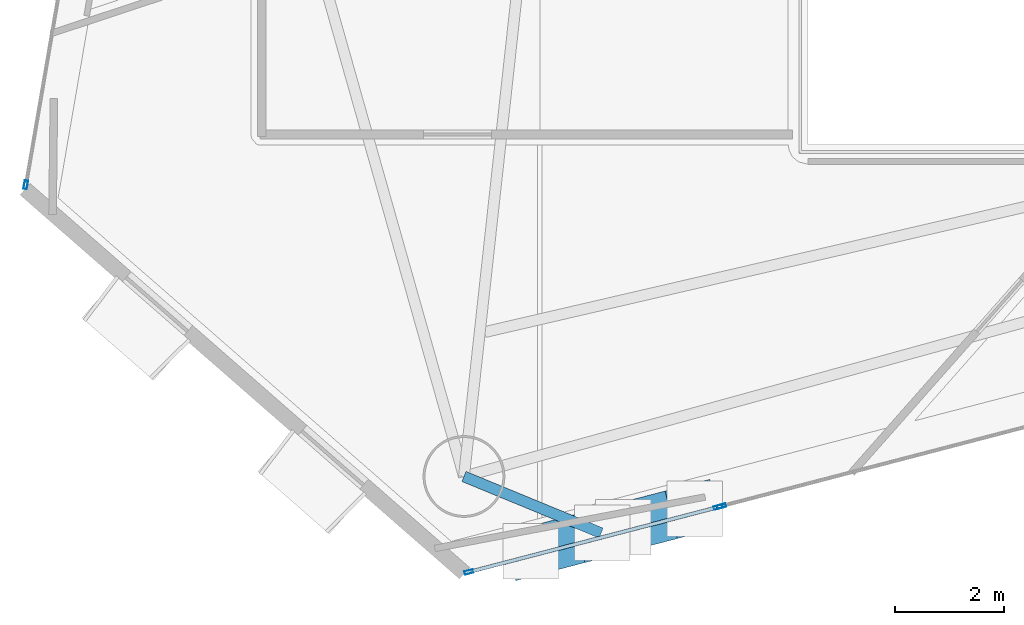
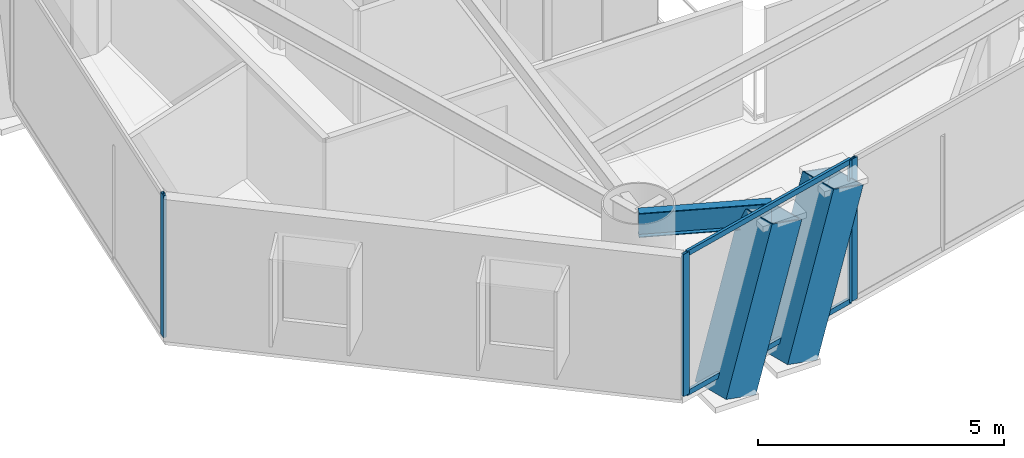
# One storey, part 2 of 21: 8 members, 1 beam, 3 elements without a shape of their own.
"""IFC4 building model written with IfcOpenShell, lengths in metres."""

from ifc_helpers import new_model, si_unit, direction, frame, origin, origin_2d, place, context, subcontext, project, spatial, hollow_rectangle, i_section, extrude, material, layer, layer_set, material_profile, profile_set, type_object, element, aggregate, save


model = new_model("IFC4")

# Units and contexts
model_context = context("Model", 3, precision=1e-05, world=origin(), true_north=direction((0.0, 1.0)))
body_context = subcontext(model_context, "Body", "Model", "MODEL_VIEW")
ifc_project = project(units=[si_unit("LENGTHUNIT", "METRE"), si_unit("AREAUNIT", "SQUARE_METRE"), si_unit("VOLUMEUNIT", "CUBIC_METRE"), si_unit("PLANEANGLEUNIT", "RADIAN"), si_unit("MASSUNIT", "GRAM", prefix="KILO")], contexts=[model_context])

# Site, building, storey
site_placement = place(None, origin())
site = spatial("IfcSite", under=ifc_project, at=site_placement, CompositionType="ELEMENT")
building_placement = place(site_placement, origin())
building = spatial("IfcBuilding", under=site, at=building_placement, Name="Qianvela Tower", CompositionType="ELEMENT")
storey_placement = place(building_placement, frame((0.0, 0.0, 112.60009765625)))
storey = spatial("IfcBuildingStorey", under=building, at=storey_placement, Name="L28", CompositionType="ELEMENT", Elevation=112.60009765625)

# Beam
ifc_material_1 = material(Name="Steel Q355B", Category="steel")
ifc_material_profile_1 = material_profile(ifc_material_1, i_section(OverallWidth=0.199951171875, OverallDepth=0.60009765625, WebThickness=0.010986328125, FlangeThickness=0.01708984375, at=origin_2d()), Name="HN600x200x11x17")
ifc_profile_set_1 = profile_set([ifc_material_profile_1], Name="Steel Q355B")
beam_type = type_object("IfcBeamType", Name="BM-HN600-GIRD", PredefinedType="BEAM", material=ifc_profile_set_1)
beam_placement = place(storey_placement, frame((27.2919921875, 11.908935546875, 3.218017578125), z_axis=(0.924466256652, -0.381263872288, 0.0), x_axis=(0.381263872288, 0.924466256652, 0.0)))
element("IfcBeam", 1, at=beam_placement, inside=storey, type_object=beam_type, Name="L28 Mega-Brace Column Tie Bracket F3-1", PredefinedType="BEAM", context=body_context, shape_type="SweptSolid", body=[
    extrude(i_section(OverallWidth=0.199951171875, OverallDepth=0.60009765625, WebThickness=0.010986328125, FlangeThickness=0.01708984375, at=origin_2d()), origin(), (0.0, 0.0, 1.0), 2.72265625),
])

# Curtain wall, members
ifc_material_2 = material(Name="Anodised Architectural Aluminium and Insulated Spandrel Panel", Category="aluminium")
ifc_layer_1 = layer(ifc_material_2, 0.179931640625)
ifc_layer_set_1 = layer_set([ifc_layer_1], Name="Anodised Architectural Aluminium and Insulated Spandrel Panel")
curtain_wall_type_1 = type_object("IfcCurtainWallType", Name="CW-BRACEBAY", PredefinedType="USERDEFINED", material=ifc_layer_set_1)
curtain_wall_1_placement = place(storey_placement, origin())
curtain_wall_1 = element("IfcCurtainWall", 2, at=curtain_wall_1_placement, inside=storey, type_object=curtain_wall_type_1, Name="L28 CW-BRACEBAY Curtain Wall 06A", ObjectType="CURTAIN_WALL_SYSTEM", PredefinedType="USERDEFINED")
ifc_material_3 = material(Name="Anodised Architectural Aluminium 6063-T6", Category="aluminium")
ifc_material_profile_2 = material_profile(ifc_material_3, hollow_rectangle(XDim=0.06494140625, YDim=0.159912109375, WallThickness=0.0048828125, at=origin_2d()), Name="ALU-MULL-65x160")
ifc_profile_set_2 = profile_set([ifc_material_profile_2], Name="Anodised Architectural Aluminium 6063-T6")
member_type_1 = type_object("IfcMemberType", Name="CW-BRACEBAY-MULL", PredefinedType="MULLION", material=ifc_profile_set_2)
member_1_placement = place(storey_placement, frame((27.380859375, 10.156005859375, 0.0), z_axis=(0.0, 0.0, 1.0), x_axis=(-0.251940850417, 0.967742635152, 0.0)))
member_1 = element("IfcMember", 3, at=member_1_placement, type_object=member_type_1, Name="CW-9 mullion 1", PredefinedType="MULLION", context=body_context, shape_type="SweptSolid", body=[
    extrude(hollow_rectangle(XDim=0.06494140625, YDim=0.159912109375, WallThickness=0.0048828125, at=origin_2d()), origin(), (0.0, 0.0, 1.0), 3.52001953125),
])
member_2_placement = place(storey_placement, frame((31.953369140625, 11.346435546875, 0.0), z_axis=(0.0, 0.0, 1.0), x_axis=(-0.251940850417, 0.967742635152, 0.0)))
member_2 = element("IfcMember", 4, at=member_2_placement, type_object=member_type_1, Name="CW-9 mullion 2", PredefinedType="MULLION", context=body_context, shape_type="SweptSolid", body=[
    extrude(hollow_rectangle(XDim=0.06494140625, YDim=0.159912109375, WallThickness=0.0048828125, at=origin_2d()), origin(), (0.0, 0.0, 1.0), 3.52001953125),
])
ifc_material_4 = material(Name="Anodised Architectural Aluminium 6063-T6", Category="aluminium")
ifc_material_profile_3 = material_profile(ifc_material_4, hollow_rectangle(XDim=0.06494140625, YDim=0.1298828125, WallThickness=0.00439453125, at=origin_2d()), Name="ALU-TRAN-65x130")
ifc_profile_set_3 = profile_set([ifc_material_profile_3], Name="Anodised Architectural Aluminium 6063-T6")
member_type_2 = type_object("IfcMemberType", Name="CW-BRACEBAY-TRAN", PredefinedType="USERDEFINED", material=ifc_profile_set_3)
member_3_placement = place(storey_placement, frame((27.412353515625, 10.1640625, 0.032470703125), z_axis=(0.96773900664, 0.251954787664, 0.0), x_axis=(-0.251954787664, 0.96773900664, 0.0)))
member_3 = element("IfcMember", 5, at=member_3_placement, type_object=member_type_2, Name="CW-9 transom 1.1", ObjectType="TRANSOM", PredefinedType="USERDEFINED", context=body_context, shape_type="SweptSolid", body=[
    extrude(hollow_rectangle(XDim=0.06494140625, YDim=0.1298828125, WallThickness=0.00439453125, at=origin_2d()), origin(), (0.0, 0.0, 1.0), 4.659912109375),
])
member_4_placement = place(storey_placement, frame((27.412353515625, 10.1640625, 3.4873046875), z_axis=(0.96773900664, 0.251954787664, 0.0), x_axis=(-0.251954787664, 0.96773900664, 0.0)))
member_4 = element("IfcMember", 6, at=member_4_placement, type_object=member_type_2, Name="CW-9 transom 1.2", ObjectType="TRANSOM", PredefinedType="USERDEFINED", context=body_context, shape_type="SweptSolid", body=[
    extrude(hollow_rectangle(XDim=0.06494140625, YDim=0.1298828125, WallThickness=0.00439453125, at=origin_2d()), origin(), (0.0, 0.0, 1.0), 4.659912109375),
])
aggregate(curtain_wall_1, [member_1, member_2, member_3, member_4])

# Curtain wall, member
ifc_material_5 = material(Name="Anodised Architectural Aluminium and Low-E Glass", Category="aluminium")
ifc_layer_2 = layer(ifc_material_5, 0.169921875)
ifc_layer_set_2 = layer_set([ifc_layer_2], Name="Anodised Architectural Aluminium and Low-E Glass")
curtain_wall_type_2 = type_object("IfcCurtainWallType", Name="CW-COLIV-Z34", PredefinedType="USERDEFINED", material=ifc_layer_set_2)
curtain_wall_2_placement = place(storey_placement, origin())
curtain_wall_2 = element("IfcCurtainWall", 7, at=curtain_wall_2_placement, inside=storey, type_object=curtain_wall_type_2, Name="L28 CW-COLIV-Z34 Curtain Wall 04C", ObjectType="CURTAIN_WALL_SYSTEM", PredefinedType="USERDEFINED")
ifc_material_6 = material(Name="Anodised Architectural Aluminium 6063-T6", Category="aluminium")
ifc_material_profile_4 = material_profile(ifc_material_6, hollow_rectangle(XDim=0.06494140625, YDim=0.159912109375, WallThickness=0.0048828125, at=origin_2d()), Name="ALU-MULL-65x160")
ifc_profile_set_4 = profile_set([ifc_material_profile_4], Name="Anodised Architectural Aluminium 6063-T6")
member_type_3 = type_object("IfcMemberType", Name="CW-COLIV-Z34-MULL", PredefinedType="MULLION", material=ifc_profile_set_4)
member_5_placement = place(storey_placement, frame((19.25390625, 17.260009765625, 0.0), z_axis=(0.0, 0.0, 1.0), x_axis=(0.985526914392, -0.169519028457, 0.0)))
member_5 = element("IfcMember", 8, at=member_5_placement, type_object=member_type_3, Name="CW-4 mullion 2", PredefinedType="MULLION", context=body_context, shape_type="SweptSolid", body=[
    extrude(hollow_rectangle(XDim=0.06494140625, YDim=0.159912109375, WallThickness=0.0048828125, at=origin_2d()), origin(), (0.0, 0.0, 1.0), 3.52001953125),
])
aggregate(curtain_wall_2, [member_5])

curtain_wall_3_placement = place(storey_placement, origin())
curtain_wall_3 = element("IfcCurtainWall", 9, at=curtain_wall_3_placement, inside=storey, type_object=curtain_wall_type_2, Name="L28 CW-COLIV-Z34 Curtain Wall 06B", ObjectType="CURTAIN_WALL_SYSTEM", PredefinedType="USERDEFINED")
member_6_placement = place(storey_placement, frame((32.016357421875, 11.36279296875, 0.0), z_axis=(0.0, 0.0, 1.0), x_axis=(-0.25195021381, 0.96774019745, 0.0)))
member_6 = element("IfcMember", 10, at=member_6_placement, type_object=member_type_3, Name="CW-4 mullion 1", PredefinedType="MULLION", context=body_context, shape_type="SweptSolid", body=[
    extrude(hollow_rectangle(XDim=0.06494140625, YDim=0.159912109375, WallThickness=0.0048828125, at=origin_2d()), origin(), (0.0, 0.0, 1.0), 3.52001953125),
])
aggregate(curtain_wall_3, [member_6])

# Members
ifc_material_7 = material(Name="Steel Q420GJC", Category="steel")
ifc_material_profile_5 = material_profile(ifc_material_7, hollow_rectangle(XDim=0.89990234375, YDim=0.89990234375, WallThickness=0.035888671875, at=origin_2d()), Name="MBOX-900x900x36")
ifc_profile_set_5 = profile_set([ifc_material_profile_5], Name="Steel Q420GJC")
member_type_4 = type_object("IfcMemberType", Name="MBR-MBRACE-900", PredefinedType="BRACE", material=ifc_profile_set_5)
for number, where, z_axis, x_axis, name in (
    (11, (28.538818359375, 10.540283203125, -0.482177734375), (0.323543087193, 0.084197067088, 0.942459932635), (-0.251846399239, 0.967767219527, 0.0), "L28 Tier 4 Exterior Mega-Brace F3A"),
    (12, (30.235107421875, 10.981689453125, -0.482177734375), (0.323485716623, 0.08426050481, 0.942473956388), (-0.252065960268, 0.967710055582, 0.0), "L28 Tier 4 Exterior Mega-Brace F3B"),
):
    element("IfcMember", number, at=place(storey_placement, frame(where, z_axis=z_axis, x_axis=x_axis)), inside=storey, type_object=member_type_4, Name=name, PredefinedType="BRACE", context=body_context, shape_type="SweptSolid", body=[
        extrude(hollow_rectangle(XDim=0.89990234375, YDim=0.89990234375, WallThickness=0.035888671875, at=origin_2d()), origin(), (0.0, 0.0, 1.0), 3.926025390625),
    ])

save(model, "model.ifc")
